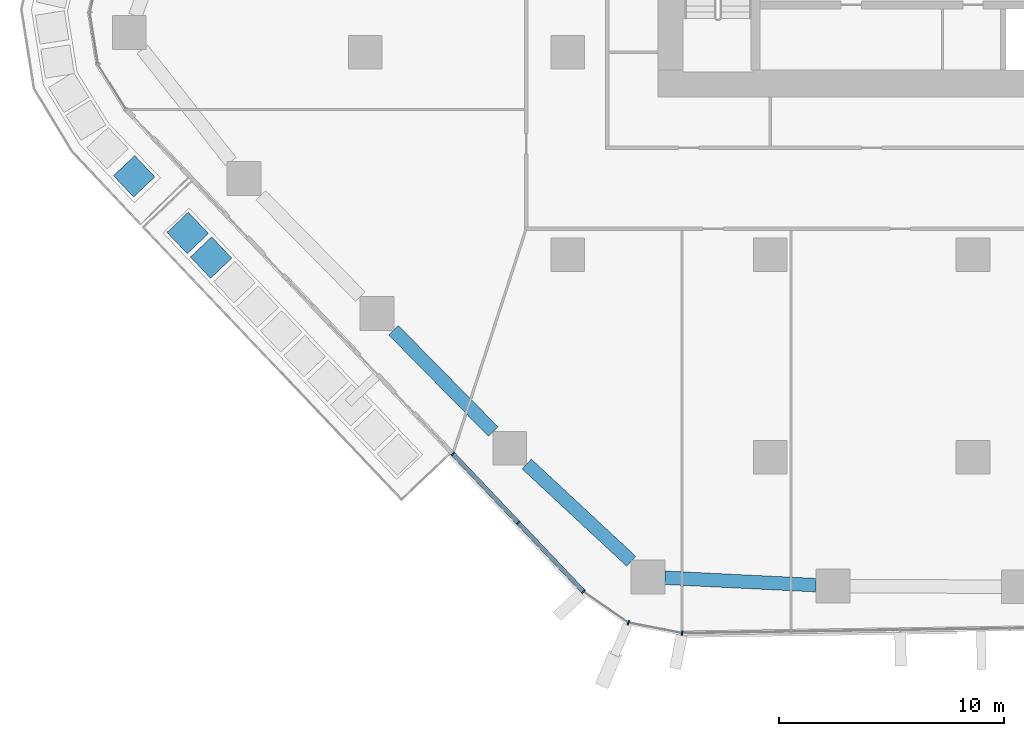
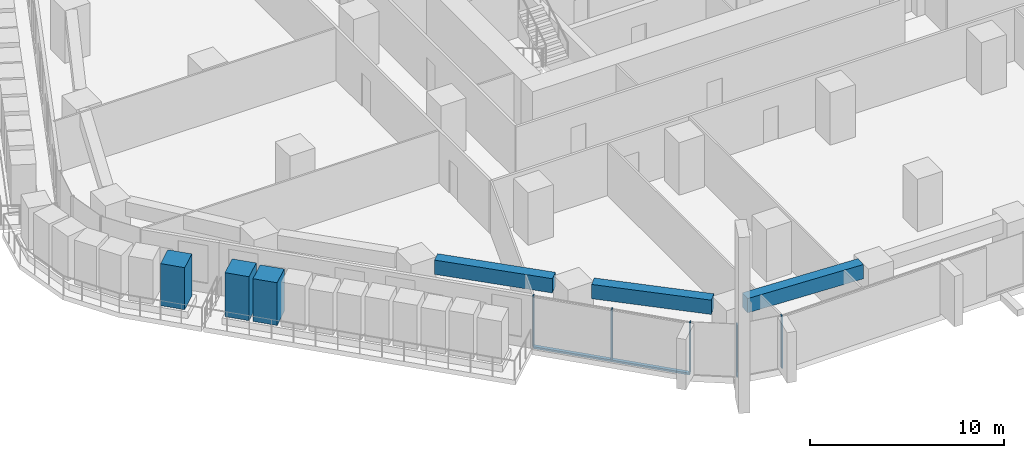
# One storey, part 2 of 24: 9 members, 3 beams, 2 elements without a shape of their own.
"""IFC4 building model written with IfcOpenShell, lengths in metres."""

from ifc_helpers import new_model, si_unit, direction, frame, origin, origin_2d, place, context, subcontext, project, spatial, rectangle, extrude, material, layer, layer_set, material_profile, profile_set, type_object, element, aggregate, save


model = new_model("IFC4")

# Units and contexts
model_context = context("Model", 3, precision=1e-05, world=origin(), true_north=direction((0.0, 1.0)))
body_context = subcontext(model_context, "Body", "Model", "MODEL_VIEW")
ifc_project = project(units=[si_unit("LENGTHUNIT", "METRE"), si_unit("AREAUNIT", "SQUARE_METRE"), si_unit("VOLUMEUNIT", "CUBIC_METRE"), si_unit("PLANEANGLEUNIT", "RADIAN"), si_unit("MASSUNIT", "GRAM", prefix="KILO")], contexts=[model_context])

# Site, building, storey
site_placement = place(None, origin())
site = spatial("IfcSite", under=ifc_project, at=site_placement, CompositionType="ELEMENT")
building_placement = place(site_placement, origin())
building = spatial("IfcBuilding", under=site, at=building_placement, Name="Dongbaek Canopy Tower", CompositionType="ELEMENT")
storey_placement = place(building_placement, frame((0.0, 0.0, 44.0)))
storey = spatial("IfcBuildingStorey", under=building, at=storey_placement, Name="L06", CompositionType="ELEMENT", Elevation=44.0)

# Curtain wall, members
ifc_material_1 = material(Name="Aluminium 6063-T6 pale anodised", Category="aluminium")
ifc_layer = layer(ifc_material_1, 0.199951171875)
ifc_layer_set = layer_set([ifc_layer], Name="CW-1 unitised tower curtain wall")
curtain_wall_type = type_object("IfcCurtainWallType", Name="CW-1 unitised tower curtain wall", PredefinedType="NOTDEFINED", material=ifc_layer_set)
curtain_wall_1_placement = place(storey_placement, origin())
curtain_wall_1 = element("IfcCurtainWall", 1, at=curtain_wall_1_placement, inside=storey, type_object=curtain_wall_type, Name="CW-1 curtain wall F3.1", PredefinedType="NOTDEFINED")
ifc_material_2 = material(Name="Aluminium 6063-T6 pale anodised", Category="aluminium")
ifc_material_profile_1 = material_profile(ifc_material_2, rectangle(XDim=0.199951171875, YDim=0.06005859375, at=origin_2d()), Name="CW-1 mullion 60 x 200")
ifc_profile_set_1 = profile_set([ifc_material_profile_1], Name="Aluminium 6063-T6 pale anodised")
member_type_1 = type_object("IfcMemberType", Name="CW-1 mullion 60 x 200", PredefinedType="MULLION", material=ifc_profile_set_1)
member_1_placement = place(storey_placement, frame((-23.107421875, -26.84814453125, 0.1201171875), z_axis=(0.0, 0.0, 1.0), x_axis=(-0.725626548924, -0.688088738098, 0.0)))
member_1 = element("IfcMember", 2, at=member_1_placement, type_object=member_type_1, Name="CW-1 mullion F3.1.1", PredefinedType="MULLION", context=body_context, shape_type="SweptSolid", body=[
    extrude(rectangle(XDim=0.199951171875, YDim=0.06005859375, at=origin_2d()), origin(), (0.0, 0.0, 1.0), 3.179931640625),
])
member_2_placement = place(storey_placement, frame((-20.203369140625, -29.91064453125, 0.1201171875), z_axis=(0.0, 0.0, 1.0), x_axis=(-0.725626548924, -0.688088738098, 0.0)))
member_2 = element("IfcMember", 3, at=member_2_placement, type_object=member_type_1, Name="CW-1 mullion F3.1.2", PredefinedType="MULLION", context=body_context, shape_type="SweptSolid", body=[
    extrude(rectangle(XDim=0.199951171875, YDim=0.06005859375, at=origin_2d()), origin(), (0.0, 0.0, 1.0), 3.179931640625),
])
member_3_placement = place(storey_placement, frame((-17.306396484375, -32.9658203125, 0.1201171875), z_axis=(0.0, 0.0, 1.0), x_axis=(-0.725626548924, -0.688088738098, 0.0)))
member_3 = element("IfcMember", 4, at=member_3_placement, type_object=member_type_1, Name="CW-1 mullion F3.1.3", PredefinedType="MULLION", context=body_context, shape_type="SweptSolid", body=[
    extrude(rectangle(XDim=0.199951171875, YDim=0.06005859375, at=origin_2d()), origin(), (0.0, 0.0, 1.0), 3.179931640625),
])

curtain_wall_2_placement = place(storey_placement, origin())
curtain_wall_2 = element("IfcCurtainWall", 5, at=curtain_wall_2_placement, inside=storey, type_object=curtain_wall_type, Name="CW-1 curtain wall K4.1", PredefinedType="NOTDEFINED")
member_4_placement = place(storey_placement, frame((-15.3076171875, -34.348876953125, 0.0), z_axis=(0.0, 0.0, 1.0), x_axis=(-0.388186162489, -0.921580980301, 0.0)))
member_4 = element("IfcMember", 6, at=member_4_placement, type_object=member_type_1, Name="CW-1 mullion K4.1.2", PredefinedType="MULLION", context=body_context, shape_type="SweptSolid", body=[
    extrude(rectangle(XDim=0.199951171875, YDim=0.06005859375, at=origin_2d()), origin(), (0.0, 0.0, 1.0), 3.300048828125),
])
member_5_placement = place(storey_placement, frame((-12.92138671875, -34.812744140625, 0.0), z_axis=(0.0, 0.0, 1.0), x_axis=(-0.190843757955, -0.981620425648, 0.0)))
member_5 = element("IfcMember", 7, at=member_5_placement, type_object=member_type_1, Name="CW-1 mullion K4.1.3", PredefinedType="MULLION", context=body_context, shape_type="SweptSolid", body=[
    extrude(rectangle(XDim=0.199951171875, YDim=0.06005859375, at=origin_2d()), origin(), (0.0, 0.0, 1.0), 3.300048828125),
])
aggregate(curtain_wall_2, [member_4, member_5])

# Member
ifc_material_3 = material(Name="Aluminium 6063-T6 pale anodised", Category="aluminium")
ifc_material_profile_2 = material_profile(ifc_material_3, rectangle(XDim=0.199951171875, YDim=0.1201171875, at=origin_2d()), Name="CW-1 transom 120 x 200")
ifc_profile_set_2 = profile_set([ifc_material_profile_2], Name="Aluminium 6063-T6 pale anodised")
member_type_2 = type_object("IfcMemberType", Name="CW-1 transom 120 x 200", PredefinedType="USERDEFINED", material=ifc_profile_set_2)
member_6_placement = place(storey_placement, frame((-23.107421875, -26.84814453125, 0.06005859375), z_axis=(0.688077912798, -0.72563681406, 0.0), x_axis=(0.72563681406, 0.688077912798, 0.0)))
member_6 = element("IfcMember", 8, at=member_6_placement, type_object=member_type_2, Name="CW-1 transom F3.1.1", ObjectType="TRANSOM", PredefinedType="USERDEFINED", context=body_context, shape_type="SweptSolid", body=[
    extrude(rectangle(XDim=0.199951171875, YDim=0.1201171875, at=origin_2d()), origin(), (0.0, 0.0, 1.0), 8.4306640625),
])

aggregate(curtain_wall_1, [member_1, member_2, member_3, member_6])

# Beams
ifc_material_4 = material(Name="Concrete C80", Category="concrete")
ifc_material_profile_3 = material_profile(ifc_material_4, rectangle(XDim=0.60009765625, YDim=0.89990234375, at=origin_2d()), Name="RC EDGE BEAM 600x900 C80")
ifc_profile_set_3 = profile_set([ifc_material_profile_3], Name="Concrete C80")
beam_type = type_object("IfcBeamType", Name="RC EDGE BEAM 600x900 C80", PredefinedType="BEAM", material=ifc_profile_set_3)
beam_1_placement = place(storey_placement, frame((-6.971923828125, -32.68017578125, 2.85009765625), z_axis=(-0.998791258722, 0.049153041612, 0.0), x_axis=(-0.049153041612, -0.998791258722, 0.0)))
element("IfcBeam", 9, at=beam_1_placement, inside=storey, type_object=beam_type, Name="EDGEBEAM:L06:03", PredefinedType="BEAM", context=body_context, shape_type="SweptSolid", body=[
    extrude(rectangle(XDim=0.60009765625, YDim=0.89990234375, at=origin_2d()), origin(), (0.0, 0.0, 1.0), 6.72021484375),
])
beam_2_placement = place(storey_placement, frame((-15.18408203125, -31.615478515625, 2.85009765625), z_axis=(-0.732207291567, 0.681081846899, 0.0), x_axis=(-0.681081846899, -0.732207291567, 0.0)))
element("IfcBeam", 10, at=beam_2_placement, inside=storey, type_object=beam_type, Name="EDGEBEAM:L06:04", PredefinedType="BEAM", context=body_context, shape_type="SweptSolid", body=[
    extrude(rectangle(XDim=0.60009765625, YDim=0.89990234375, at=origin_2d()), origin(), (0.0, 0.0, 1.0), 6.3369140625),
])
beam_3_placement = place(storey_placement, frame((-21.312744140625, -25.85205078125, 2.85009765625), z_axis=(-0.701726082417, 0.712446843811, 0.0), x_axis=(-0.712446843811, -0.701726082417, 0.0)))
element("IfcBeam", 11, at=beam_3_placement, inside=storey, type_object=beam_type, Name="EDGEBEAM:L06:05", PredefinedType="BEAM", context=body_context, shape_type="SweptSolid", body=[
    extrude(rectangle(XDim=0.60009765625, YDim=0.89990234375, at=origin_2d()), origin(), (0.0, 0.0, 1.0), 6.30810546875),
])

# Members
ifc_material_5 = material(Name="Concrete C40/50 planter mass with planting", Category="concrete")
ifc_material_profile_4 = material_profile(ifc_material_5, rectangle(XDim=1.300048828125, YDim=1.300048828125, at=origin_2d()), Name="Terrace PLANTER shrub mass 1300 x 1300")
ifc_profile_set_4 = profile_set([ifc_material_profile_4], Name="Concrete C40/50 planter mass with planting")
member_type_3 = type_object("IfcMemberType", Name="Terrace PLANTER shrub mass 1300 x 1300", PredefinedType="USERDEFINED", material=ifc_profile_set_4)
member_7_placement = place(storey_placement, frame((-34.884521484375, -17.030029296875, 0.419921875), z_axis=(0.0, 0.0, 1.0), x_axis=(-0.725626548924, -0.688088738098, 0.0)))
element("IfcMember", 12, at=member_7_placement, inside=storey, type_object=member_type_3, Name="Planter shrubs L06 3.1", ObjectType="PLANTER", PredefinedType="USERDEFINED", context=body_context, shape_type="SweptSolid", body=[
    extrude(rectangle(XDim=1.300048828125, YDim=1.300048828125, at=origin_2d()), origin(), (0.0, 0.0, 1.0), 2.77001953125),
])
member_8_placement = place(storey_placement, frame((-33.8466796875, -18.12451171875, 0.419921875), z_axis=(0.0, 0.0, 1.0), x_axis=(-0.725626548924, -0.688088738098, 0.0)))
element("IfcMember", 13, at=member_8_placement, inside=storey, type_object=member_type_3, Name="Planter shrubs L06 3.2", ObjectType="PLANTER", PredefinedType="USERDEFINED", context=body_context, shape_type="SweptSolid", body=[
    extrude(rectangle(XDim=1.300048828125, YDim=1.300048828125, at=origin_2d()), origin(), (0.0, 0.0, 1.0), 2.690185546875),
])
member_9_placement = place(storey_placement, frame((-37.2666015625, -14.514892578125, 0.419921875), z_axis=(0.0, 0.0, 1.0), x_axis=(-0.727322068282, -0.686296298248, 0.0)))
element("IfcMember", 14, at=member_9_placement, inside=storey, type_object=member_type_3, Name="Planter shrubs L06 6.7", ObjectType="PLANTER", PredefinedType="USERDEFINED", context=body_context, shape_type="SweptSolid", body=[
    extrude(rectangle(XDim=1.300048828125, YDim=1.300048828125, at=origin_2d()), origin(), (0.0, 0.0, 1.0), 2.650146484375),
])

save(model, "model.ifc")
